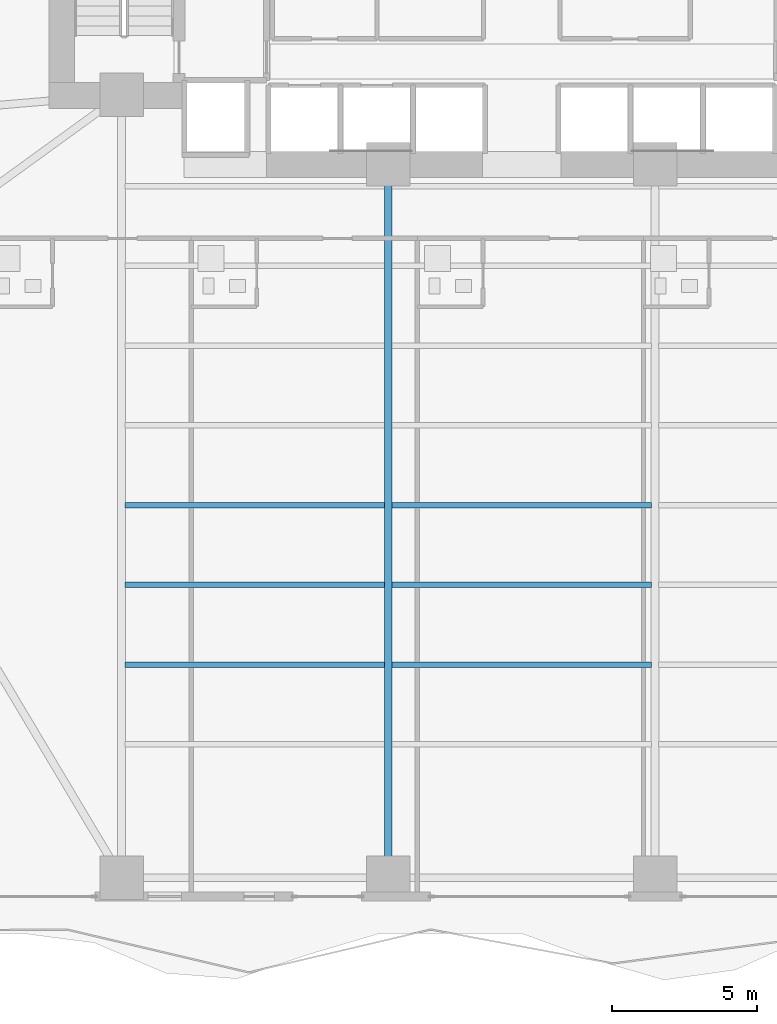
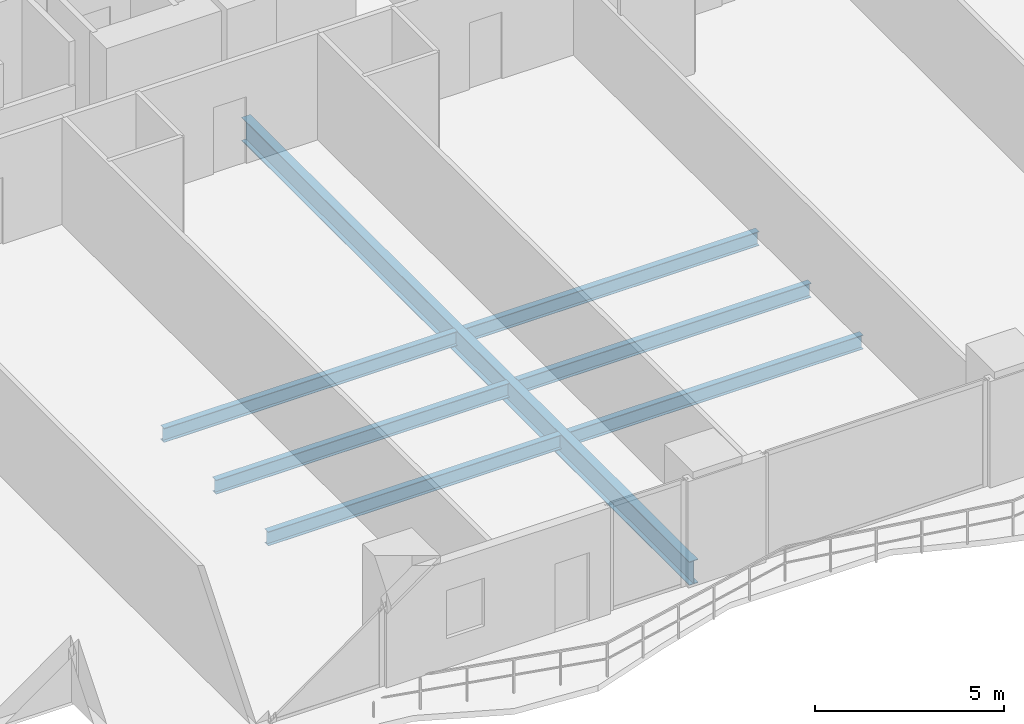
# One storey, part 5 of 28: 7 beams.
"""IFC4 building model written with IfcOpenShell, lengths in metres."""

import ifcopenshell
import ifcopenshell.guid

model = None  # the IFC model being written
_history = None  # IfcOwnerHistory: only IFC2X3 demands one
_inside = {}  # id of a spatial element -> (the spatial element, [elements in it])
_under = {}  # id of a project, library or spatial element -> (it, [spatial elements below it])
_declared = {}  # id of a project -> (the project, [libraries it declares])
_typed = {}  # id of a type object -> (the type object, [elements of that type])
_made_of = {}  # id of a material, layer set ... -> (it, [elements and type objects made of it])


def new_model(schema):
    """Start an empty IFC model of exactly this schema.

    Asked for "IFC4X3", IfcOpenShell would pick the latest addendum, in which some entities
    have other attributes; the version numbers below select the first issue.
    IFC2X3 requires an IfcOwnerHistory on every rooted entity: one is made here for all.
    """
    global model, _history
    if schema == "IFC4X3":
        model = ifcopenshell.file(schema_version=(4, 3, 0, 0))
    else:
        model = ifcopenshell.file(schema=schema)
    _inside.clear()
    _under.clear()
    _declared.clear()
    _typed.clear()
    _made_of.clear()
    _history = None
    if model.schema == "IFC2X3":
        org = make("IfcOrganization", Name="unknown")
        user = make(
            "IfcPersonAndOrganization",
            ThePerson=make("IfcPerson", FamilyName="unknown"),
            TheOrganization=org,
        )
        app = make(
            "IfcApplication",
            ApplicationDeveloper=org,
            Version="unknown",
            ApplicationFullName="unknown",
            ApplicationIdentifier="unknown",
        )
        _history = make(
            "IfcOwnerHistory",
            OwningUser=user,
            OwningApplication=app,
            ChangeAction="ADDED",
            CreationDate=0,
        )
    return model


def make(cls, **values):
    """One entity of the class cls with the attributes given. An attribute that is None is left unset."""
    return model.create_entity(
        cls, **{name: value for name, value in values.items() if value is not None}
    )


def rooted(cls, **values):
    """An entity with a GlobalId (a new one), such as an element, a storey or a relation."""
    return make(cls, GlobalId=ifcopenshell.guid.new(), OwnerHistory=_history, **values)


def si_unit(unit_type, name, prefix=None):
    """IfcSIUnit, for example si_unit("LENGTHUNIT", "METRE", prefix="MILLI")."""
    return make("IfcSIUnit", UnitType=unit_type, Prefix=prefix, Name=name)


def assignment(units):
    """IfcUnitAssignment: the units of a project."""
    return None if units is None else make("IfcUnitAssignment", Units=units)


def point(xyz):
    """IfcCartesianPoint."""
    return None if xyz is None else make("IfcCartesianPoint", Coordinates=xyz)


def direction(xyz):
    """IfcDirection."""
    return None if xyz is None else make("IfcDirection", DirectionRatios=xyz)


def frame(location, z_axis=None, x_axis=None):
    """IfcAxis2Placement3D, a coordinate frame: its origin and axes. An axis left out is left unset."""
    return make(
        "IfcAxis2Placement3D",
        Location=point(location),
        Axis=direction(z_axis),
        RefDirection=direction(x_axis),
    )


def frame_2d(location, x_axis=None):
    """IfcAxis2Placement2D, a coordinate frame in the plane: its origin and x axis."""
    return make(
        "IfcAxis2Placement2D", Location=point(location), RefDirection=direction(x_axis)
    )


def origin():
    """The frame at (0, 0, 0) with its axes left unset."""
    return frame((0.0, 0.0, 0.0))


def origin_2d():
    """The frame at (0, 0) in the plane with its x axis left unset."""
    return frame_2d((0.0, 0.0))


def place(relative_to, where):
    """IfcLocalPlacement: puts the frame where relative to a parent placement (None: the world)."""
    return make(
        "IfcLocalPlacement", PlacementRelTo=relative_to, RelativePlacement=where
    )


def context(
    kind, dimensions, precision=None, world=None, true_north=None, identifier=None
):
    """IfcGeometricRepresentationContext, for example the 3D "Model" context."""
    return make(
        "IfcGeometricRepresentationContext",
        ContextIdentifier=identifier,
        ContextType=kind,
        CoordinateSpaceDimension=dimensions,
        Precision=precision,
        WorldCoordinateSystem=world,
        TrueNorth=true_north,
    )


def subcontext(parent, identifier, kind, view, scale=None):
    """IfcGeometricRepresentationSubContext, for example "Body" below "Model"."""
    return make(
        "IfcGeometricRepresentationSubContext",
        ContextIdentifier=identifier,
        ContextType=kind,
        ParentContext=parent,
        TargetScale=scale,
        TargetView=view,
    )


def project(units=None, contexts=None):
    """IfcProject with its units and contexts."""
    return rooted(
        "IfcProject",
        Name="project",
        RepresentationContexts=contexts,
        UnitsInContext=assignment(units),
    )


def spatial(cls, under=None, at=None, **own):
    """A site, building, storey or space (cls), placed at a placement, below another one or the project."""
    s = rooted(cls, ObjectPlacement=at, **own)
    if under is not None:
        _under.setdefault(under.id(), (under, []))[1].append(s)
    return s


def profile(cls, at=None, kind="AREA", **sizes):
    """A parametric profile (cls). Its sizes go by their IFC names, for example OverallWidth=200.0."""
    return make(cls, ProfileType=kind, Position=at, **sizes)


def i_section(**sizes):
    """IfcIShapeProfileDef."""
    return profile("IfcIShapeProfileDef", **sizes)


def extrude(swept, where, along, depth):
    """IfcExtrudedAreaSolid: the profile swept, set in the frame where, extruded along a direction by depth."""
    return make(
        "IfcExtrudedAreaSolid",
        SweptArea=swept,
        Position=where,
        ExtrudedDirection=direction(along),
        Depth=depth,
    )


def shape(context_of_items, identifier, shape_type, items):
    """IfcShapeRepresentation: the items that make up one representation, for example the "Body"."""
    return make(
        "IfcShapeRepresentation",
        ContextOfItems=context_of_items,
        RepresentationIdentifier=identifier,
        RepresentationType=shape_type,
        Items=items,
    )


def material(Name=None, Category=None):
    """IfcMaterial."""
    return make("IfcMaterial", Name=Name, Category=Category)


def material_profile(
    of_material, cross_section, Name=None, Category=None, Priority=None
):
    """IfcMaterialProfile: a cross section and its material."""
    return make(
        "IfcMaterialProfile",
        Name=Name,
        Material=of_material,
        Profile=cross_section,
        Priority=Priority,
        Category=Category,
    )


def profile_set(profiles, Name=None, composite=None):
    """IfcMaterialProfileSet."""
    return make(
        "IfcMaterialProfileSet",
        Name=Name,
        MaterialProfiles=profiles,
        CompositeProfile=composite,
    )


def made_of(thing, what):
    """Note that an element or type object is made of a material, layer set ...; save() writes the relation."""
    if what is not None:
        _made_of.setdefault(what.id(), (what, []))[1].append(thing)
    return thing


def type_object(cls, material=None, **own):
    """A type object (cls), such as IfcWallType, which elements share."""
    return made_of(rooted(cls, **own), material)


def element(
    cls,
    number,
    at=None,
    inside=None,
    cuts=None,
    type_object=None,
    material=None,
    context=None,
    identifier="Body",
    shape_type=None,
    held_by="IfcProductDefinitionShape",
    body=None,
    shapes=None,
    **own,
):
    """One element of the class cls, such as IfcWall. Its Tag is "e" and its number.

    at: its placement. inside: the storey or other place that contains it. cuts: it is an
    opening in that element (IfcRelVoidsElement). A single representation is given by context,
    identifier, shape_type and body (its items); several are given by shapes. held_by: the class
    of the entity that holds the representations. save() writes the other relations.
    """
    e = rooted(cls, Tag="e%d" % number, ObjectPlacement=at, **own)
    if body is not None:
        shapes = [shape(context, identifier, shape_type, body)]
    if shapes is not None:
        e.Representation = make(held_by, Representations=shapes)
    if inside is not None:
        _inside.setdefault(inside.id(), (inside, []))[1].append(e)
    if cuts is not None:
        rooted(
            "IfcRelVoidsElement", RelatingBuildingElement=cuts, RelatedOpeningElement=e
        )
    if type_object is not None:
        _typed.setdefault(type_object.id(), (type_object, []))[1].append(e)
    return made_of(e, material)


def aggregate(whole, parts):
    """IfcRelAggregates: a whole, such as a stair, and the parts it consists of."""
    return rooted("IfcRelAggregates", RelatingObject=whole, RelatedObjects=parts)


def save(model, path):
    """Write the relations noted so far, then the file.

    IfcRelAggregates (storeys below a building ...), IfcRelContainedInSpatialStructure (elements
    in a storey), IfcRelDefinesByType, IfcRelAssociatesMaterial and IfcRelDeclares: one each for
    every whole, place, type object, material and project.
    """
    for whole, parts in _under.values():
        aggregate(whole, parts)
    for where, things in _inside.values():
        rooted(
            "IfcRelContainedInSpatialStructure",
            RelatedElements=things,
            RelatingStructure=where,
        )
    for kind, things in _typed.values():
        rooted("IfcRelDefinesByType", RelatedObjects=things, RelatingType=kind)
    for what, things in _made_of.values():
        rooted("IfcRelAssociatesMaterial", RelatedObjects=things, RelatingMaterial=what)
    for by, libraries in _declared.values():
        rooted("IfcRelDeclares", RelatingContext=by, RelatedDefinitions=libraries)
    model.write(path)


model = new_model("IFC4")

# Units and contexts
model_context = context("Model", 3, precision=1e-05, world=origin(), true_north=direction((0.0, 1.0)))
body_context = subcontext(model_context, "Body", "Model", "MODEL_VIEW")
ifc_project = project(units=[si_unit("LENGTHUNIT", "METRE"), si_unit("AREAUNIT", "SQUARE_METRE"), si_unit("VOLUMEUNIT", "CUBIC_METRE"), si_unit("PLANEANGLEUNIT", "RADIAN"), si_unit("MASSUNIT", "GRAM", prefix="KILO")], contexts=[model_context])

# Site, building, storey
site_placement = place(None, origin())
site = spatial("IfcSite", under=ifc_project, at=site_placement, CompositionType="ELEMENT")
building_placement = place(site_placement, origin())
building = spatial("IfcBuilding", under=site, at=building_placement, Name="Zuhayl Quay Hotel", CompositionType="ELEMENT")
storey_placement = place(building_placement, frame((0.0, 0.0, 49.5)))
storey = spatial("IfcBuildingStorey", under=building, at=storey_placement, Name="L11", CompositionType="ELEMENT", Elevation=49.5)

# Beams
ifc_material = material(Name="Steel ASTM A992 Grade 50", Category="steel")
ifc_material_profile_1 = material_profile(ifc_material, i_section(OverallWidth=0.26708984375, OverallDepth=0.761962890625, WebThickness=0.014404296875, FlangeThickness=0.021484375, at=origin_2d()), Name="W30X116")
ifc_profile_set_1 = profile_set([ifc_material_profile_1], Name="Steel ASTM A992 Grade 50")
beam_type_1 = type_object("IfcBeamType", Name="BM_B1_W30X116", PredefinedType="BEAM", material=ifc_profile_set_1)
beam_1_placement = place(storey_placement, frame((-4.60009765625, -21.949951171875, -0.60107421875), z_axis=(0.0, 1.0, 0.0), x_axis=(-1.0, 0.0, 0.0)))
element("IfcBeam", 1, at=beam_1_placement, inside=storey, type_object=beam_type_1, Name="L11 Floor Beam FG_S_L11_2", PredefinedType="BEAM", context=body_context, shape_type="SweptSolid", body=[
    extrude(i_section(OverallWidth=0.26708984375, OverallDepth=0.761962890625, WebThickness=0.014404296875, FlangeThickness=0.021484375, at=origin_2d()), origin(), (0.0, 0.0, 1.0), 23.64990234375),
])
ifc_material_profile_2 = material_profile(ifc_material, i_section(OverallWidth=0.18994140625, OverallDepth=0.45703125, WebThickness=0.009033203125, FlangeThickness=0.014404296875, at=origin_2d()), Name="W18X50")
ifc_profile_set_2 = profile_set([ifc_material_profile_2], Name="Steel ASTM A992 Grade 50")
beam_type_2 = type_object("IfcBeamType", Name="BM_J2_W18X50", PredefinedType="JOIST", material=ifc_profile_set_2)
beam_2_placement = place(storey_placement, frame((-13.674560546875, -15.10009765625, -0.448486328125), z_axis=(1.0, 0.0, 0.0), x_axis=(0.0, 1.0, 0.0)))
element("IfcBeam", 2, at=beam_2_placement, inside=storey, type_object=beam_type_2, Name="L11 Floor Beam FJ_L11_4_1", PredefinedType="JOIST", context=body_context, shape_type="SweptSolid", body=[
    extrude(i_section(OverallWidth=0.18994140625, OverallDepth=0.45703125, WebThickness=0.009033203125, FlangeThickness=0.014404296875, at=origin_2d()), origin(), (0.0, 0.0, 1.0), 8.948974609375),
])
beam_3_placement = place(storey_placement, frame((-4.474609375, -15.10009765625, -0.448486328125), z_axis=(1.0, 0.0, 0.0), x_axis=(0.0, 1.0, 0.0)))
element("IfcBeam", 3, at=beam_3_placement, inside=storey, type_object=beam_type_2, Name="L11 Floor Beam FJ_L11_4_2", PredefinedType="JOIST", context=body_context, shape_type="SweptSolid", body=[
    extrude(i_section(OverallWidth=0.18994140625, OverallDepth=0.45703125, WebThickness=0.009033203125, FlangeThickness=0.014404296875, at=origin_2d()), origin(), (0.0, 0.0, 1.0), 8.94921875),
])
beam_4_placement = place(storey_placement, frame((-13.674560546875, -12.35009765625, -0.448486328125), z_axis=(1.0, 0.0, 0.0), x_axis=(0.0, 1.0, 0.0)))
element("IfcBeam", 4, at=beam_4_placement, inside=storey, type_object=beam_type_2, Name="L11 Floor Beam FJ_L11_5_1", PredefinedType="JOIST", context=body_context, shape_type="SweptSolid", body=[
    extrude(i_section(OverallWidth=0.18994140625, OverallDepth=0.45703125, WebThickness=0.009033203125, FlangeThickness=0.014404296875, at=origin_2d()), origin(), (0.0, 0.0, 1.0), 8.948974609375),
])
beam_5_placement = place(storey_placement, frame((-4.474609375, -12.35009765625, -0.448486328125), z_axis=(1.0, 0.0, 0.0), x_axis=(0.0, 1.0, 0.0)))
element("IfcBeam", 5, at=beam_5_placement, inside=storey, type_object=beam_type_2, Name="L11 Floor Beam FJ_L11_5_2", PredefinedType="JOIST", context=body_context, shape_type="SweptSolid", body=[
    extrude(i_section(OverallWidth=0.18994140625, OverallDepth=0.45703125, WebThickness=0.009033203125, FlangeThickness=0.014404296875, at=origin_2d()), origin(), (0.0, 0.0, 1.0), 8.94921875),
])
beam_6_placement = place(storey_placement, frame((-13.674560546875, -9.60009765625, -0.448486328125), z_axis=(1.0, 0.0, 0.0), x_axis=(0.0, 1.0, 0.0)))
element("IfcBeam", 6, at=beam_6_placement, inside=storey, type_object=beam_type_2, Name="L11 Floor Beam FJ_L11_6_1", PredefinedType="JOIST", context=body_context, shape_type="SweptSolid", body=[
    extrude(i_section(OverallWidth=0.18994140625, OverallDepth=0.45703125, WebThickness=0.009033203125, FlangeThickness=0.014404296875, at=origin_2d()), origin(), (0.0, 0.0, 1.0), 8.948974609375),
])
beam_7_placement = place(storey_placement, frame((-4.474609375, -9.60009765625, -0.448486328125), z_axis=(1.0, 0.0, 0.0), x_axis=(0.0, 1.0, 0.0)))
element("IfcBeam", 7, at=beam_7_placement, inside=storey, type_object=beam_type_2, Name="L11 Floor Beam FJ_L11_6_2", PredefinedType="JOIST", context=body_context, shape_type="SweptSolid", body=[
    extrude(i_section(OverallWidth=0.18994140625, OverallDepth=0.45703125, WebThickness=0.009033203125, FlangeThickness=0.014404296875, at=origin_2d()), origin(), (0.0, 0.0, 1.0), 8.94921875),
])

save(model, "model.ifc")
